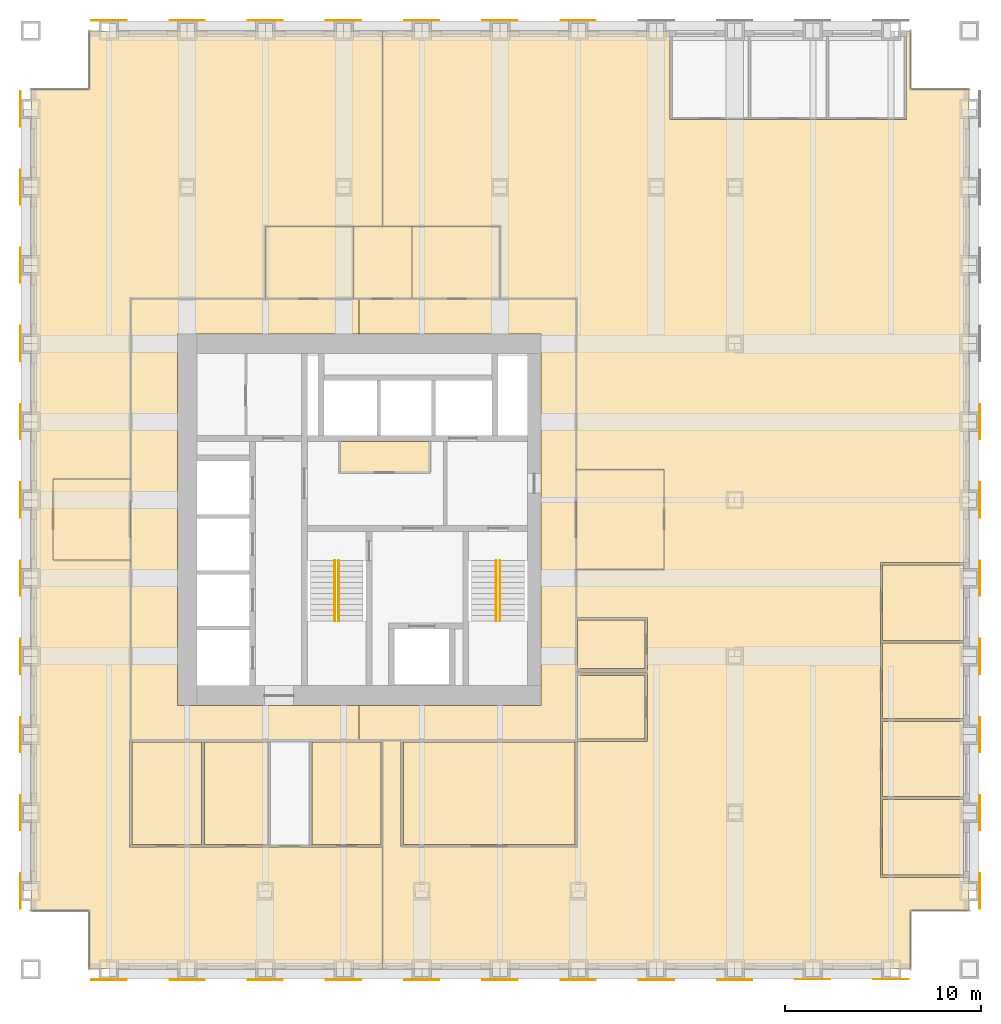
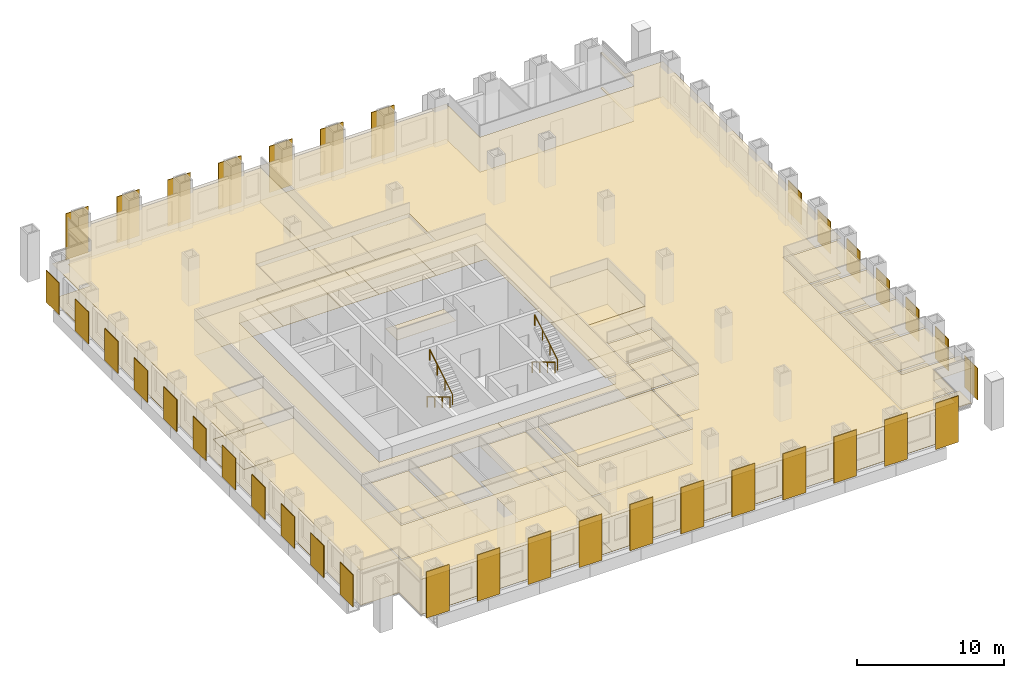
# One storey, part 15 of 16: 37 coverings, 36 shading devices, 4 railings.
"""IFC4 building model written with IfcOpenShell, lengths in metres."""

from ifc_helpers import new_model, si_unit, direction, frame, origin, origin_2d, place, context, subcontext, project, spatial, polyline, rectangle, circle, outline, extrude, material, layer, layer_set, type_object, element, save


model = new_model("IFC4")

# Units and contexts
model_context = context("Model", 3, precision=1e-05, world=origin(), true_north=direction((0.0, 1.0)))
body_context = subcontext(model_context, "Body", "Model", "MODEL_VIEW")
ifc_project = project(units=[si_unit("LENGTHUNIT", "METRE"), si_unit("AREAUNIT", "SQUARE_METRE"), si_unit("VOLUMEUNIT", "CUBIC_METRE"), si_unit("PLANEANGLEUNIT", "RADIAN"), si_unit("MASSUNIT", "GRAM", prefix="KILO")], contexts=[model_context])

# Site, building, storey
site_placement = place(None, origin())
site = spatial("IfcSite", under=ifc_project, at=site_placement, CompositionType="ELEMENT")
building_placement = place(site_placement, origin())
building = spatial("IfcBuilding", under=site, at=building_placement, Name="Rimbunsela Tower", CompositionType="ELEMENT")
storey_placement = place(building_placement, frame((0.0, 0.0, 133.39990234375)))
storey = spatial("IfcBuildingStorey", under=building, at=storey_placement, Name="L32", CompositionType="ELEMENT", Elevation=133.39990234375)

# Coverings
ifc_material_1 = material(Name="Nylon carpet tile", Category="textile")
ifc_layer_1 = layer(ifc_material_1, 0.010009765625)
ifc_layer_set_1 = layer_set([ifc_layer_1], Name="Carpet tile 10")
covering_type_1 = type_object("IfcCoveringType", Name="Carpet tile 10", PredefinedType="FLOORING", material=ifc_layer_set_1)
covering_1_placement = place(storey_placement, origin())
element("IfcCovering", 1, at=covering_1_placement, inside=storey, type_object=covering_type_1, Name="Floor finish Open office", PredefinedType="FLOORING", context=body_context, shape_type="SweptSolid", body=[
    extrude(outline(polyline([(18.85009765625, 10.25), (22.14990234375, 10.25), (22.25, 10.25), (24.25, 10.25), (24.35009765625, 10.25), (27.9990234375, 10.25), (27.9990234375, 4.0), (15.10009765625, 4.0), (13.0, 4.0), (13.0, 7.0), (10.0, 7.0), (10.0, 49.0), (13.0, 49.0), (13.0, 52.0), (15.10009765625, 52.0), (27.9990234375, 52.0), (27.9990234375, 42.0), (22.0, 42.0), (22.0, 38.300048828125), (15.10009765625, 38.300048828125), (15.10009765625, 29.074951171875), (11.14990234375, 29.074951171875), (11.14990234375, 24.925048828125), (15.10009765625, 24.925048828125), (15.10009765625, 15.75), (15.050048828125, 15.75), (15.050048828125, 10.25), (15.10009765625, 10.25), (18.75, 10.25), (18.85009765625, 10.25)])), origin(), (0.0, 0.0, 1.0), 0.010009765625),
])
covering_2_placement = place(storey_placement, origin())
element("IfcCovering", 2, at=covering_2_placement, inside=storey, type_object=covering_type_1, Name="Floor finish Open office", PredefinedType="FLOORING", context=body_context, shape_type="SweptSolid", body=[
    extrude(outline(polyline([(28.0009765625, 15.699951171875), (28.948974609375, 15.699951171875), (28.948974609375, 10.25), (37.89990234375, 10.25), (37.949951171875, 10.25), (37.949951171875, 15.64990234375), (41.550048828125, 15.64990234375), (41.550048828125, 19.14990234375), (37.89990234375, 19.14990234375), (37.89990234375, 19.25), (41.550048828125, 19.25), (41.550048828125, 22.0), (37.89990234375, 22.0), (37.89990234375, 24.449951171875), (42.39990234375, 24.449951171875), (42.39990234375, 29.550048828125), (37.89990234375, 29.550048828125), (37.89990234375, 38.300048828125), (34.0, 38.300048828125), (34.0, 42.0), (28.0009765625, 42.0), (28.0009765625, 52.0), (37.89990234375, 52.0), (42.699951171875, 52.0), (42.699951171875, 47.449951171875), (46.699951171875, 47.449951171875), (46.800048828125, 47.449951171875), (50.699951171875, 47.449951171875), (50.800048828125, 47.449951171875), (54.800048828125, 47.449951171875), (54.800048828125, 52.0), (55.0, 52.0), (55.0, 49.0), (58.0, 49.0), (58.0, 24.800048828125), (53.449951171875, 24.800048828125), (53.449951171875, 20.800048828125), (53.449951171875, 20.699951171875), (53.449951171875, 16.800048828125), (53.449951171875, 16.699951171875), (53.449951171875, 12.800048828125), (53.449951171875, 12.699951171875), (53.449951171875, 8.699951171875), (58.0, 8.699951171875), (58.0, 7.0), (55.0, 7.0), (55.0, 4.0), (37.89990234375, 4.0), (28.0009765625, 4.0), (28.0009765625, 15.699951171875)])), origin(), (0.0, 0.0, 1.0), 0.010009765625),
])
covering_3_placement = place(storey_placement, origin())
element("IfcCovering", 3, at=covering_3_placement, inside=storey, type_object=covering_type_1, Name="Floor finish Reception", PredefinedType="FLOORING", context=body_context, shape_type="SweptSolid", body=[
    extrude(outline(polyline([(15.10009765625, 24.925048828125), (15.10009765625, 29.074951171875), (11.14990234375, 29.074951171875), (11.14990234375, 24.925048828125), (15.10009765625, 24.925048828125)])), origin(), (0.0, 0.0, 1.0), 0.010009765625),
])
covering_4_placement = place(storey_placement, origin())
element("IfcCovering", 4, at=covering_4_placement, inside=storey, type_object=covering_type_1, Name="Floor finish Reception", PredefinedType="FLOORING", context=body_context, shape_type="SweptSolid", body=[
    extrude(outline(polyline([(42.39990234375, 24.449951171875), (42.39990234375, 29.550048828125), (37.89990234375, 29.550048828125), (37.89990234375, 24.449951171875), (42.39990234375, 24.449951171875)])), origin(), (0.0, 0.0, 1.0), 0.010009765625),
])
covering_5_placement = place(storey_placement, origin())
element("IfcCovering", 5, at=covering_5_placement, inside=storey, type_object=covering_type_1, Name="Floor finish Executive office", PredefinedType="FLOORING", context=body_context, shape_type="SweptSolid", body=[
    extrude(outline(polyline([(57.699951171875, 8.824951171875), (57.699951171875, 12.675048828125), (53.574951171875, 12.675048828125), (53.574951171875, 8.824951171875), (57.699951171875, 8.824951171875)])), origin(), (0.0, 0.0, 1.0), 0.010009765625),
])
covering_6_placement = place(storey_placement, origin())
element("IfcCovering", 6, at=covering_6_placement, inside=storey, type_object=covering_type_1, Name="Floor finish Executive office", PredefinedType="FLOORING", context=body_context, shape_type="SweptSolid", body=[
    extrude(outline(polyline([(57.699951171875, 12.824951171875), (57.699951171875, 16.675048828125), (53.574951171875, 16.675048828125), (53.574951171875, 12.824951171875), (57.699951171875, 12.824951171875)])), origin(), (0.0, 0.0, 1.0), 0.010009765625),
])
covering_7_placement = place(storey_placement, origin())
element("IfcCovering", 7, at=covering_7_placement, inside=storey, type_object=covering_type_1, Name="Floor finish Executive office", PredefinedType="FLOORING", context=body_context, shape_type="SweptSolid", body=[
    extrude(outline(polyline([(57.699951171875, 16.824951171875), (57.699951171875, 20.675048828125), (53.574951171875, 20.675048828125), (53.574951171875, 16.824951171875), (57.699951171875, 16.824951171875)])), origin(), (0.0, 0.0, 1.0), 0.010009765625),
])
covering_8_placement = place(storey_placement, origin())
element("IfcCovering", 8, at=covering_8_placement, inside=storey, type_object=covering_type_1, Name="Floor finish Executive office", PredefinedType="FLOORING", context=body_context, shape_type="SweptSolid", body=[
    extrude(outline(polyline([(57.699951171875, 20.824951171875), (57.699951171875, 24.675048828125), (53.574951171875, 24.675048828125), (53.574951171875, 20.824951171875), (57.699951171875, 20.824951171875)])), origin(), (0.0, 0.0, 1.0), 0.010009765625),
])
covering_9_placement = place(storey_placement, origin())
element("IfcCovering", 9, at=covering_9_placement, inside=storey, type_object=covering_type_1, Name="Floor finish Meeting room", PredefinedType="FLOORING", context=body_context, shape_type="SweptSolid", body=[
    extrude(outline(polyline([(18.72509765625, 10.375), (18.72509765625, 15.625), (15.175048828125, 15.625), (15.175048828125, 10.375), (18.72509765625, 10.375)])), origin(), (0.0, 0.0, 1.0), 0.010009765625),
])
covering_10_placement = place(storey_placement, origin())
element("IfcCovering", 10, at=covering_10_placement, inside=storey, type_object=covering_type_1, Name="Floor finish Pantry", PredefinedType="FLOORING", context=body_context, shape_type="SweptSolid", body=[
    extrude(outline(polyline([(22.125, 10.375), (22.125, 15.625), (18.875, 15.625), (18.875, 10.375), (22.125, 10.375)])), origin(), (0.0, 0.0, 1.0), 0.010009765625),
])
covering_11_placement = place(storey_placement, origin())
element("IfcCovering", 11, at=covering_11_placement, inside=storey, type_object=covering_type_1, Name="Floor finish Office", PredefinedType="FLOORING", context=body_context, shape_type="SweptSolid", body=[
    extrude(outline(polyline([(27.924072265625, 10.375), (27.924072265625, 15.625), (24.375, 15.625), (24.375, 10.375), (27.924072265625, 10.375)])), origin(), (0.0, 0.0, 1.0), 0.010009765625),
])
covering_12_placement = place(storey_placement, origin())
element("IfcCovering", 12, at=covering_12_placement, inside=storey, type_object=covering_type_1, Name="Floor finish Boardroom", PredefinedType="FLOORING", context=body_context, shape_type="SweptSolid", body=[
    extrude(outline(polyline([(37.824951171875, 10.375), (37.824951171875, 15.625), (29.073974609375, 15.625), (29.073974609375, 10.375), (37.824951171875, 10.375)])), origin(), (0.0, 0.0, 1.0), 0.010009765625),
])
covering_13_placement = place(storey_placement, origin())
element("IfcCovering", 13, at=covering_13_placement, inside=storey, type_object=covering_type_1, Name="Floor finish Pantry", PredefinedType="FLOORING", context=body_context, shape_type="SweptSolid", body=[
    extrude(outline(polyline([(41.425048828125, 15.77490234375), (41.425048828125, 19.02490234375), (37.97509765625, 19.02490234375), (37.97509765625, 15.77490234375), (41.425048828125, 15.77490234375)])), origin(), (0.0, 0.0, 1.0), 0.010009765625),
])
covering_14_placement = place(storey_placement, origin())
element("IfcCovering", 14, at=covering_14_placement, inside=storey, type_object=covering_type_1, Name="Floor finish Print and copy room", PredefinedType="FLOORING", context=body_context, shape_type="SweptSolid", body=[
    extrude(outline(polyline([(41.425048828125, 19.375), (41.425048828125, 21.875), (37.97509765625, 21.875), (37.97509765625, 19.375), (41.425048828125, 19.375)])), origin(), (0.0, 0.0, 1.0), 0.010009765625),
])
ifc_material_2 = material(Name="Mineral fibre ceiling tile", Category="gypsum")
ifc_layer_2 = layer(ifc_material_2, 0.02001953125)
ifc_layer_set_2 = layer_set([ifc_layer_2], Name="Ceiling 600 grid")
covering_type_2 = type_object("IfcCoveringType", Name="Ceiling 600 grid", PredefinedType="CEILING", material=ifc_layer_set_2)
covering_15_placement = place(storey_placement, frame((0.0, 0.0, 2.900146484375)))
element("IfcCovering", 15, at=covering_15_placement, inside=storey, type_object=covering_type_2, Name="Ceiling Staff pantry", PredefinedType="CEILING", context=body_context, shape_type="SweptSolid", body=[
    extrude(outline(polyline([(30.39990234375, 29.39990234375), (30.39990234375, 31.0), (25.800048828125, 31.0), (25.800048828125, 29.39990234375), (30.39990234375, 29.39990234375)])), origin(), (0.0, 0.0, 1.0), 0.02001953125),
])
covering_16_placement = place(storey_placement, frame((0.0, 0.0, 2.900146484375)))
element("IfcCovering", 16, at=covering_16_placement, inside=storey, type_object=covering_type_2, Name="Ceiling Ring corridor", PredefinedType="CEILING", context=body_context, shape_type="SweptSolid", body=[
    extrude(outline(polyline([(15.10009765625, 38.300048828125), (26.800048828125, 38.300048828125), (26.800048828125, 36.5), (17.5, 36.5), (17.5, 17.5), (26.800048828125, 17.5), (26.800048828125, 15.699951171875), (15.10009765625, 15.699951171875), (15.10009765625, 38.300048828125)])), origin(), (0.0, 0.0, 1.0), 0.02001953125),
])
covering_17_placement = place(storey_placement, frame((0.0, 0.0, 2.900146484375)))
element("IfcCovering", 17, at=covering_17_placement, inside=storey, type_object=covering_type_2, Name="Ceiling Ring corridor", PredefinedType="CEILING", context=body_context, shape_type="SweptSolid", body=[
    extrude(outline(polyline([(37.89990234375, 38.300048828125), (37.89990234375, 15.699951171875), (26.800048828125, 15.699951171875), (26.800048828125, 17.5), (36.10009765625, 17.5), (36.10009765625, 36.5), (26.800048828125, 36.5), (26.800048828125, 38.300048828125), (37.89990234375, 38.300048828125)])), origin(), (0.0, 0.0, 1.0), 0.02001953125),
])
covering_18_placement = place(storey_placement, frame((0.0, 0.0, 2.900146484375)))
element("IfcCovering", 18, at=covering_18_placement, inside=storey, type_object=covering_type_2, Name="Ceiling Open office", PredefinedType="CEILING", context=body_context, shape_type="SweptSolid", body=[
    extrude(outline(polyline([(18.85009765625, 10.25), (22.14990234375, 10.25), (22.25, 10.25), (24.25, 10.25), (24.35009765625, 10.25), (27.9990234375, 10.25), (27.9990234375, 4.0), (15.10009765625, 4.0), (13.0, 4.0), (13.0, 7.0), (10.0, 7.0), (10.0, 49.0), (13.0, 49.0), (13.0, 52.0), (15.10009765625, 52.0), (27.9990234375, 52.0), (27.9990234375, 42.0), (22.0, 42.0), (22.0, 38.300048828125), (15.10009765625, 38.300048828125), (15.10009765625, 29.074951171875), (11.14990234375, 29.074951171875), (11.14990234375, 24.925048828125), (15.10009765625, 24.925048828125), (15.10009765625, 15.75), (15.050048828125, 15.75), (15.050048828125, 10.25), (15.10009765625, 10.25), (18.75, 10.25), (18.85009765625, 10.25)])), origin(), (0.0, 0.0, 1.0), 0.02001953125),
])
covering_19_placement = place(storey_placement, frame((0.0, 0.0, 2.900146484375)))
element("IfcCovering", 19, at=covering_19_placement, inside=storey, type_object=covering_type_2, Name="Ceiling Open office", PredefinedType="CEILING", context=body_context, shape_type="SweptSolid", body=[
    extrude(outline(polyline([(28.0009765625, 15.699951171875), (28.948974609375, 15.699951171875), (28.948974609375, 10.25), (37.89990234375, 10.25), (37.949951171875, 10.25), (37.949951171875, 15.64990234375), (41.550048828125, 15.64990234375), (41.550048828125, 19.14990234375), (37.89990234375, 19.14990234375), (37.89990234375, 19.25), (41.550048828125, 19.25), (41.550048828125, 22.0), (37.89990234375, 22.0), (37.89990234375, 24.449951171875), (42.39990234375, 24.449951171875), (42.39990234375, 29.550048828125), (37.89990234375, 29.550048828125), (37.89990234375, 38.300048828125), (34.0, 38.300048828125), (34.0, 42.0), (28.0009765625, 42.0), (28.0009765625, 52.0), (37.89990234375, 52.0), (42.699951171875, 52.0), (42.699951171875, 47.449951171875), (46.699951171875, 47.449951171875), (46.800048828125, 47.449951171875), (50.699951171875, 47.449951171875), (50.800048828125, 47.449951171875), (54.800048828125, 47.449951171875), (54.800048828125, 52.0), (55.0, 52.0), (55.0, 49.0), (58.0, 49.0), (58.0, 24.800048828125), (53.449951171875, 24.800048828125), (53.449951171875, 20.800048828125), (53.449951171875, 20.699951171875), (53.449951171875, 16.800048828125), (53.449951171875, 16.699951171875), (53.449951171875, 12.800048828125), (53.449951171875, 12.699951171875), (53.449951171875, 8.699951171875), (58.0, 8.699951171875), (58.0, 7.0), (55.0, 7.0), (55.0, 4.0), (37.89990234375, 4.0), (28.0009765625, 4.0), (28.0009765625, 15.699951171875)])), origin(), (0.0, 0.0, 1.0), 0.02001953125),
])
covering_20_placement = place(storey_placement, frame((0.0, 0.0, 2.900146484375)))
element("IfcCovering", 20, at=covering_20_placement, inside=storey, type_object=covering_type_2, Name="Ceiling Reception", PredefinedType="CEILING", context=body_context, shape_type="SweptSolid", body=[
    extrude(outline(polyline([(15.10009765625, 24.925048828125), (15.10009765625, 29.074951171875), (11.14990234375, 29.074951171875), (11.14990234375, 24.925048828125), (15.10009765625, 24.925048828125)])), origin(), (0.0, 0.0, 1.0), 0.02001953125),
])
covering_21_placement = place(storey_placement, frame((0.0, 0.0, 2.900146484375)))
element("IfcCovering", 21, at=covering_21_placement, inside=storey, type_object=covering_type_2, Name="Ceiling Reception", PredefinedType="CEILING", context=body_context, shape_type="SweptSolid", body=[
    extrude(outline(polyline([(42.39990234375, 24.449951171875), (42.39990234375, 29.550048828125), (37.89990234375, 29.550048828125), (37.89990234375, 24.449951171875), (42.39990234375, 24.449951171875)])), origin(), (0.0, 0.0, 1.0), 0.02001953125),
])
covering_22_placement = place(storey_placement, frame((0.0, 0.0, 2.900146484375)))
element("IfcCovering", 22, at=covering_22_placement, inside=storey, type_object=covering_type_2, Name="Ceiling Executive office", PredefinedType="CEILING", context=body_context, shape_type="SweptSolid", body=[
    extrude(outline(polyline([(57.699951171875, 8.824951171875), (57.699951171875, 12.675048828125), (53.574951171875, 12.675048828125), (53.574951171875, 8.824951171875), (57.699951171875, 8.824951171875)])), origin(), (0.0, 0.0, 1.0), 0.02001953125),
])
covering_23_placement = place(storey_placement, frame((0.0, 0.0, 2.900146484375)))
element("IfcCovering", 23, at=covering_23_placement, inside=storey, type_object=covering_type_2, Name="Ceiling Executive office", PredefinedType="CEILING", context=body_context, shape_type="SweptSolid", body=[
    extrude(outline(polyline([(57.699951171875, 12.824951171875), (57.699951171875, 16.675048828125), (53.574951171875, 16.675048828125), (53.574951171875, 12.824951171875), (57.699951171875, 12.824951171875)])), origin(), (0.0, 0.0, 1.0), 0.02001953125),
])
covering_24_placement = place(storey_placement, frame((0.0, 0.0, 2.900146484375)))
element("IfcCovering", 24, at=covering_24_placement, inside=storey, type_object=covering_type_2, Name="Ceiling Executive office", PredefinedType="CEILING", context=body_context, shape_type="SweptSolid", body=[
    extrude(outline(polyline([(57.699951171875, 16.824951171875), (57.699951171875, 20.675048828125), (53.574951171875, 20.675048828125), (53.574951171875, 16.824951171875), (57.699951171875, 16.824951171875)])), origin(), (0.0, 0.0, 1.0), 0.02001953125),
])
covering_25_placement = place(storey_placement, frame((0.0, 0.0, 2.900146484375)))
element("IfcCovering", 25, at=covering_25_placement, inside=storey, type_object=covering_type_2, Name="Ceiling Executive office", PredefinedType="CEILING", context=body_context, shape_type="SweptSolid", body=[
    extrude(outline(polyline([(57.699951171875, 20.824951171875), (57.699951171875, 24.675048828125), (53.574951171875, 24.675048828125), (53.574951171875, 20.824951171875), (57.699951171875, 20.824951171875)])), origin(), (0.0, 0.0, 1.0), 0.02001953125),
])
covering_26_placement = place(storey_placement, frame((0.0, 0.0, 2.900146484375)))
element("IfcCovering", 26, at=covering_26_placement, inside=storey, type_object=covering_type_2, Name="Ceiling Meeting room", PredefinedType="CEILING", context=body_context, shape_type="SweptSolid", body=[
    extrude(outline(polyline([(18.72509765625, 10.375), (18.72509765625, 15.625), (15.175048828125, 15.625), (15.175048828125, 10.375), (18.72509765625, 10.375)])), origin(), (0.0, 0.0, 1.0), 0.02001953125),
])
covering_27_placement = place(storey_placement, frame((0.0, 0.0, 2.900146484375)))
element("IfcCovering", 27, at=covering_27_placement, inside=storey, type_object=covering_type_2, Name="Ceiling Pantry", PredefinedType="CEILING", context=body_context, shape_type="SweptSolid", body=[
    extrude(outline(polyline([(22.125, 10.375), (22.125, 15.625), (18.875, 15.625), (18.875, 10.375), (22.125, 10.375)])), origin(), (0.0, 0.0, 1.0), 0.02001953125),
])
covering_28_placement = place(storey_placement, frame((0.0, 0.0, 2.900146484375)))
element("IfcCovering", 28, at=covering_28_placement, inside=storey, type_object=covering_type_2, Name="Ceiling Office", PredefinedType="CEILING", context=body_context, shape_type="SweptSolid", body=[
    extrude(outline(polyline([(27.924072265625, 10.375), (27.924072265625, 15.625), (24.375, 15.625), (24.375, 10.375), (27.924072265625, 10.375)])), origin(), (0.0, 0.0, 1.0), 0.02001953125),
])
covering_29_placement = place(storey_placement, frame((0.0, 0.0, 2.900146484375)))
element("IfcCovering", 29, at=covering_29_placement, inside=storey, type_object=covering_type_2, Name="Ceiling Boardroom", PredefinedType="CEILING", context=body_context, shape_type="SweptSolid", body=[
    extrude(outline(polyline([(37.824951171875, 10.375), (37.824951171875, 15.625), (29.073974609375, 15.625), (29.073974609375, 10.375), (37.824951171875, 10.375)])), origin(), (0.0, 0.0, 1.0), 0.02001953125),
])
covering_30_placement = place(storey_placement, frame((0.0, 0.0, 2.900146484375)))
element("IfcCovering", 30, at=covering_30_placement, inside=storey, type_object=covering_type_2, Name="Ceiling Pantry", PredefinedType="CEILING", context=body_context, shape_type="SweptSolid", body=[
    extrude(outline(polyline([(41.425048828125, 15.77490234375), (41.425048828125, 19.02490234375), (37.97509765625, 19.02490234375), (37.97509765625, 15.77490234375), (41.425048828125, 15.77490234375)])), origin(), (0.0, 0.0, 1.0), 0.02001953125),
])
covering_31_placement = place(storey_placement, frame((0.0, 0.0, 2.900146484375)))
element("IfcCovering", 31, at=covering_31_placement, inside=storey, type_object=covering_type_2, Name="Ceiling Print and copy room", PredefinedType="CEILING", context=body_context, shape_type="SweptSolid", body=[
    extrude(outline(polyline([(41.425048828125, 19.375), (41.425048828125, 21.875), (37.97509765625, 21.875), (37.97509765625, 19.375), (41.425048828125, 19.375)])), origin(), (0.0, 0.0, 1.0), 0.02001953125),
])
ifc_material_3 = material(Name="Moisture-resistant plasterboard ceiling", Category="gypsum")
ifc_layer_3 = layer(ifc_material_3, 0.012451171875)
ifc_layer_set_3 = layer_set([ifc_layer_3], Name="Ceiling moisture-resistant board")
covering_type_3 = type_object("IfcCoveringType", Name="Ceiling moisture-resistant board", PredefinedType="CEILING", material=ifc_layer_set_3)
covering_32_placement = place(storey_placement, frame((0.0, 0.0, 2.60009765625)))
element("IfcCovering", 32, at=covering_32_placement, inside=storey, type_object=covering_type_3, Name="Ceiling Female WC", PredefinedType="CEILING", context=body_context, shape_type="SweptSolid", body=[
    extrude(outline(polyline([(26.5, 38.300048828125), (26.5, 42.0), (22.0, 42.0), (22.0, 38.300048828125), (26.5, 38.300048828125)])), origin(), (0.0, 0.0, 1.0), 0.02001953125),
])
covering_33_placement = place(storey_placement, frame((0.0, 0.0, 2.60009765625)))
element("IfcCovering", 33, at=covering_33_placement, inside=storey, type_object=covering_type_3, Name="Ceiling Accessible WC", PredefinedType="CEILING", context=body_context, shape_type="SweptSolid", body=[
    extrude(outline(polyline([(29.5, 38.300048828125), (29.5, 42.0), (26.5, 42.0), (26.5, 38.300048828125), (29.5, 38.300048828125)])), origin(), (0.0, 0.0, 1.0), 0.02001953125),
])
covering_34_placement = place(storey_placement, frame((0.0, 0.0, 2.60009765625)))
element("IfcCovering", 34, at=covering_34_placement, inside=storey, type_object=covering_type_3, Name="Ceiling Male WC", PredefinedType="CEILING", context=body_context, shape_type="SweptSolid", body=[
    extrude(outline(polyline([(34.0, 38.300048828125), (34.0, 42.0), (29.5, 42.0), (29.5, 38.300048828125), (34.0, 38.300048828125)])), origin(), (0.0, 0.0, 1.0), 0.02001953125),
])
ifc_material_4 = material(Name="Porcelain floor tile in adhesive bed", Category="ceramic")
ifc_layer_4 = layer(ifc_material_4, 0.02001953125)
ifc_layer_set_4 = layer_set([ifc_layer_4], Name="Porcelain tile 20")
covering_type_4 = type_object("IfcCoveringType", Name="Porcelain tile 20", PredefinedType="FLOORING", material=ifc_layer_set_4)
covering_35_placement = place(storey_placement, origin())
element("IfcCovering", 35, at=covering_35_placement, inside=storey, type_object=covering_type_4, Name="Floor finish Female WC", PredefinedType="FLOORING", context=body_context, shape_type="SweptSolid", body=[
    extrude(outline(polyline([(26.5, 38.300048828125), (26.5, 42.0), (22.0, 42.0), (22.0, 38.300048828125), (26.5, 38.300048828125)])), origin(), (0.0, 0.0, 1.0), 0.02001953125),
])
covering_36_placement = place(storey_placement, origin())
element("IfcCovering", 36, at=covering_36_placement, inside=storey, type_object=covering_type_4, Name="Floor finish Accessible WC", PredefinedType="FLOORING", context=body_context, shape_type="SweptSolid", body=[
    extrude(outline(polyline([(29.5, 38.300048828125), (29.5, 42.0), (26.5, 42.0), (26.5, 38.300048828125), (29.5, 38.300048828125)])), origin(), (0.0, 0.0, 1.0), 0.02001953125),
])
covering_37_placement = place(storey_placement, origin())
element("IfcCovering", 37, at=covering_37_placement, inside=storey, type_object=covering_type_4, Name="Floor finish Male WC", PredefinedType="FLOORING", context=body_context, shape_type="SweptSolid", body=[
    extrude(outline(polyline([(34.0, 38.300048828125), (34.0, 42.0), (29.5, 42.0), (29.5, 38.300048828125), (34.0, 38.300048828125)])), origin(), (0.0, 0.0, 1.0), 0.02001953125),
])

# Shading devices
ifc_material_5 = material(Name="Perforated aluminium, 35 % open area", Category="aluminium")
ifc_layer_5 = layer(ifc_material_5, 0.050048828125)
ifc_layer_set_5 = layer_set([ifc_layer_5], Name="Solar screen panel 1800")
shading_device_type = type_object("IfcShadingDeviceType", Name="Solar screen panel 1800", PredefinedType="USERDEFINED", material=ifc_layer_set_5)
for number, where, z_axis, x_axis, name in (
    (38, (14.0, 3.47509765625, 0.0), (0.0, 0.0, 1.0), (1.0, 0.0, 0.0), "Solar screen S L32"),
    (39, (18.0, 3.47509765625, 0.0), (0.0, 0.0, 1.0), (1.0, 0.0, 0.0), "Solar screen S L32"),
    (40, (22.0, 3.47509765625, 0.0), (0.0, 0.0, 1.0), (1.0, 0.0, 0.0), "Solar screen S L32"),
    (41, (26.0, 3.47509765625, 0.0), (0.0, 0.0, 1.0), (1.0, 0.0, 0.0), "Solar screen S L32"),
    (42, (30.0, 3.47509765625, 0.0), (0.0, 0.0, 1.0), (1.0, 0.0, 0.0), "Solar screen S L32"),
    (43, (34.0, 3.47509765625, 0.0), (0.0, 0.0, 1.0), (1.0, 0.0, 0.0), "Solar screen S L32"),
    (44, (38.0, 3.47509765625, 0.0), (0.0, 0.0, 1.0), (1.0, 0.0, 0.0), "Solar screen S L32"),
    (45, (42.0, 3.47509765625, 0.0), (0.0, 0.0, 1.0), (1.0, 0.0, 0.0), "Solar screen S L32"),
    (46, (46.0, 3.47509765625, 0.0), (0.0, 0.0, 1.0), (1.0, 0.0, 0.0), "Solar screen S L32"),
    (47, (50.0, 3.47509765625, 0.0), (0.0, 0.0, 1.0), (1.0, 0.0, 0.0), "Solar screen S L32"),
    (48, (54.0, 3.47509765625, 0.0), (0.0, 0.0, 1.0), (1.0, 0.0, 0.0), "Solar screen S L32"),
):
    element("IfcShadingDevice", number, at=place(storey_placement, frame(where, z_axis=z_axis, x_axis=x_axis)), inside=storey, type_object=shading_device_type, Name=name, ObjectType="SCREEN", PredefinedType="USERDEFINED", context=body_context, shape_type="SweptSolid", body=[
        extrude(rectangle(XDim=1.800048828125, YDim=0.050048828125, at=origin_2d()), origin(), (0.0, 0.0, 1.0), 3.85009765625),
    ])
for number, where, z_axis, x_axis, name in (
    (49, (58.52490234375, 8.0, 0.000244140625), (0.0, 0.0, 1.0), (0.0, 1.0, 0.0), "Solar screen E L32"),
    (50, (58.52490234375, 12.0, 0.000244140625), (0.0, 0.0, 1.0), (0.0, 1.0, 0.0), "Solar screen E L32"),
    (51, (58.52490234375, 16.0, 0.000244140625), (0.0, 0.0, 1.0), (0.0, 1.0, 0.0), "Solar screen E L32"),
    (52, (58.52490234375, 20.0, 0.000244140625), (0.0, 0.0, 1.0), (0.0, 1.0, 0.0), "Solar screen E L32"),
    (53, (58.52490234375, 24.0, 0.000244140625), (0.0, 0.0, 1.0), (0.0, 1.0, 0.0), "Solar screen E L32"),
    (54, (58.52490234375, 28.0, 0.000244140625), (0.0, 0.0, 1.0), (0.0, 1.0, 0.0), "Solar screen E L32"),
    (55, (58.52490234375, 32.0, 0.000244140625), (0.0, 0.0, 1.0), (0.0, 1.0, 0.0), "Solar screen E L32"),
):
    element("IfcShadingDevice", number, at=place(storey_placement, frame(where, z_axis=z_axis, x_axis=x_axis)), inside=storey, type_object=shading_device_type, Name=name, ObjectType="SCREEN", PredefinedType="USERDEFINED", context=body_context, shape_type="SweptSolid", body=[
        extrude(rectangle(XDim=1.800048828125, YDim=0.050048828125, at=origin_2d()), origin(), (0.0, 0.0, 1.0), 2.64990234375),
    ])
for number, where, z_axis, x_axis, name in (
    (56, (14.0, 52.52490234375, 0.0), (0.0, 0.0, 1.0), (1.0, 0.0, 0.0), "Solar screen N L32"),
    (57, (18.0, 52.52490234375, 0.0), (0.0, 0.0, 1.0), (1.0, 0.0, 0.0), "Solar screen N L32"),
    (58, (22.0, 52.52490234375, 0.0), (0.0, 0.0, 1.0), (1.0, 0.0, 0.0), "Solar screen N L32"),
    (59, (26.0, 52.52490234375, 0.0), (0.0, 0.0, 1.0), (1.0, 0.0, 0.0), "Solar screen N L32"),
    (60, (30.0, 52.52490234375, 0.0), (0.0, 0.0, 1.0), (1.0, 0.0, 0.0), "Solar screen N L32"),
    (61, (34.0, 52.52490234375, 0.0), (0.0, 0.0, 1.0), (1.0, 0.0, 0.0), "Solar screen N L32"),
    (62, (38.0, 52.52490234375, 0.0), (0.0, 0.0, 1.0), (1.0, 0.0, 0.0), "Solar screen N L32"),
):
    element("IfcShadingDevice", number, at=place(storey_placement, frame(where, z_axis=z_axis, x_axis=x_axis)), inside=storey, type_object=shading_device_type, Name=name, ObjectType="SCREEN", PredefinedType="USERDEFINED", context=body_context, shape_type="SweptSolid", body=[
        extrude(rectangle(XDim=1.800048828125, YDim=0.050048828125, at=origin_2d()), origin(), (0.0, 0.0, 1.0), 3.85009765625),
    ])
for number, where, z_axis, x_axis, name in (
    (63, (9.47509765625, 8.0, 0.000244140625), (0.0, 0.0, 1.0), (0.0, 1.0, 0.0), "Solar screen W L32"),
    (64, (9.47509765625, 12.0, 0.000244140625), (0.0, 0.0, 1.0), (0.0, 1.0, 0.0), "Solar screen W L32"),
    (65, (9.47509765625, 16.0, 0.000244140625), (0.0, 0.0, 1.0), (0.0, 1.0, 0.0), "Solar screen W L32"),
    (66, (9.47509765625, 20.0, 0.000244140625), (0.0, 0.0, 1.0), (0.0, 1.0, 0.0), "Solar screen W L32"),
    (67, (9.47509765625, 24.0, 0.000244140625), (0.0, 0.0, 1.0), (0.0, 1.0, 0.0), "Solar screen W L32"),
    (68, (9.47509765625, 28.0, 0.000244140625), (0.0, 0.0, 1.0), (0.0, 1.0, 0.0), "Solar screen W L32"),
    (69, (9.47509765625, 32.0, 0.000244140625), (0.0, 0.0, 1.0), (0.0, 1.0, 0.0), "Solar screen W L32"),
    (70, (9.47509765625, 36.0, 0.000244140625), (0.0, 0.0, 1.0), (0.0, 1.0, 0.0), "Solar screen W L32"),
    (71, (9.47509765625, 40.0, 0.000244140625), (0.0, 0.0, 1.0), (0.0, 1.0, 0.0), "Solar screen W L32"),
    (72, (9.47509765625, 44.0, 0.000244140625), (0.0, 0.0, 1.0), (0.0, 1.0, 0.0), "Solar screen W L32"),
    (73, (9.47509765625, 48.0, 0.000244140625), (0.0, 0.0, 1.0), (0.0, 1.0, 0.0), "Solar screen W L32"),
):
    element("IfcShadingDevice", number, at=place(storey_placement, frame(where, z_axis=z_axis, x_axis=x_axis)), inside=storey, type_object=shading_device_type, Name=name, ObjectType="SCREEN", PredefinedType="USERDEFINED", context=body_context, shape_type="SweptSolid", body=[
        extrude(rectangle(XDim=1.800048828125, YDim=0.050048828125, at=origin_2d()), origin(), (0.0, 0.0, 1.0), 2.64990234375),
    ])

# Railings
ifc_material_6 = material(Name="Stainless steel tube", Category="steel")
railing_type = type_object("IfcRailingType", Name="Stair handrail 900", PredefinedType="HANDRAIL", material=ifc_material_6)
railing_1_placement = place(storey_placement, frame((25.550048828125, 24.89990234375, 0.166748046875)))
element("IfcRailing", 74, at=railing_1_placement, inside=storey, type_object=railing_type, Name="Handrail ST-A flight 1", PredefinedType="HANDRAIL", context=body_context, shape_type="SweptSolid", body=[
    extrude(circle(Radius=0.02392578125, at=origin_2d()), frame((0.0, 0.0, 0.8759765625), z_axis=(0.0, -0.859290745958, 0.51148745235), x_axis=(1.0, 0.0, 0.0)), (0.0, 0.0, 1.0), 3.584228515625),
    extrude(circle(Radius=0.02099609375, at=origin_2d()), origin(), (0.0, 0.0, 1.0), 0.851806640625),
    extrude(circle(Radius=0.02099609375, at=origin_2d()), frame((0.0, -1.026611328125, 0.611083984375)), (0.0, 0.0, 1.0), 0.851806640625),
    extrude(circle(Radius=0.02099609375, at=origin_2d()), frame((0.0, -2.05322265625, 1.22216796875)), (0.0, 0.0, 1.0), 0.851806640625),
    extrude(circle(Radius=0.02099609375, at=origin_2d()), frame((0.0, -3.079833984375, 1.833251953125)), (0.0, 0.0, 1.0), 0.851806640625),
])
railing_2_placement = place(storey_placement, frame((25.75, 21.820068359375, 2.166748046875)))
element("IfcRailing", 75, at=railing_2_placement, inside=storey, type_object=railing_type, Name="Handrail ST-A flight 2", PredefinedType="HANDRAIL", context=body_context, shape_type="SweptSolid", body=[
    extrude(circle(Radius=0.02392578125, at=origin_2d()), frame((0.0, 0.0, 0.8759765625), z_axis=(0.0, 0.859290745958, 0.51148745235), x_axis=(-1.0, 0.0, 0.0)), (0.0, 0.0, 1.0), 3.584228515625),
    extrude(circle(Radius=0.02099609375, at=origin_2d()), origin(), (0.0, 0.0, 1.0), 0.851806640625),
    extrude(circle(Radius=0.02099609375, at=origin_2d()), frame((0.0, 1.026611328125, 0.611083984375)), (0.0, 0.0, 1.0), 0.851806640625),
    extrude(circle(Radius=0.02099609375, at=origin_2d()), frame((0.0, 2.05322265625, 1.22216796875)), (0.0, 0.0, 1.0), 0.851806640625),
    extrude(circle(Radius=0.02099609375, at=origin_2d()), frame((0.0, 3.079833984375, 1.833251953125)), (0.0, 0.0, 1.0), 0.851806640625),
])
railing_3_placement = place(storey_placement, frame((33.800048828125, 24.89990234375, 0.166748046875)))
element("IfcRailing", 76, at=railing_3_placement, inside=storey, type_object=railing_type, Name="Handrail ST-B flight 1", PredefinedType="HANDRAIL", context=body_context, shape_type="SweptSolid", body=[
    extrude(circle(Radius=0.02392578125, at=origin_2d()), frame((0.0, 0.0, 0.8759765625), z_axis=(0.0, -0.859290745958, 0.51148745235), x_axis=(1.0, 0.0, 0.0)), (0.0, 0.0, 1.0), 3.584228515625),
    extrude(circle(Radius=0.02099609375, at=origin_2d()), origin(), (0.0, 0.0, 1.0), 0.851806640625),
    extrude(circle(Radius=0.02099609375, at=origin_2d()), frame((0.0, -1.026611328125, 0.611083984375)), (0.0, 0.0, 1.0), 0.851806640625),
    extrude(circle(Radius=0.02099609375, at=origin_2d()), frame((0.0, -2.05322265625, 1.22216796875)), (0.0, 0.0, 1.0), 0.851806640625),
    extrude(circle(Radius=0.02099609375, at=origin_2d()), frame((0.0, -3.079833984375, 1.833251953125)), (0.0, 0.0, 1.0), 0.851806640625),
])
railing_4_placement = place(storey_placement, frame((34.0, 21.820068359375, 2.166748046875)))
element("IfcRailing", 77, at=railing_4_placement, inside=storey, type_object=railing_type, Name="Handrail ST-B flight 2", PredefinedType="HANDRAIL", context=body_context, shape_type="SweptSolid", body=[
    extrude(circle(Radius=0.02392578125, at=origin_2d()), frame((0.0, 0.0, 0.8759765625), z_axis=(0.0, 0.859290745958, 0.51148745235), x_axis=(-1.0, 0.0, 0.0)), (0.0, 0.0, 1.0), 3.584228515625),
    extrude(circle(Radius=0.02099609375, at=origin_2d()), origin(), (0.0, 0.0, 1.0), 0.851806640625),
    extrude(circle(Radius=0.02099609375, at=origin_2d()), frame((0.0, 1.026611328125, 0.611083984375)), (0.0, 0.0, 1.0), 0.851806640625),
    extrude(circle(Radius=0.02099609375, at=origin_2d()), frame((0.0, 2.05322265625, 1.22216796875)), (0.0, 0.0, 1.0), 0.851806640625),
    extrude(circle(Radius=0.02099609375, at=origin_2d()), frame((0.0, 3.079833984375, 1.833251953125)), (0.0, 0.0, 1.0), 0.851806640625),
])

save(model, "model.ifc")
